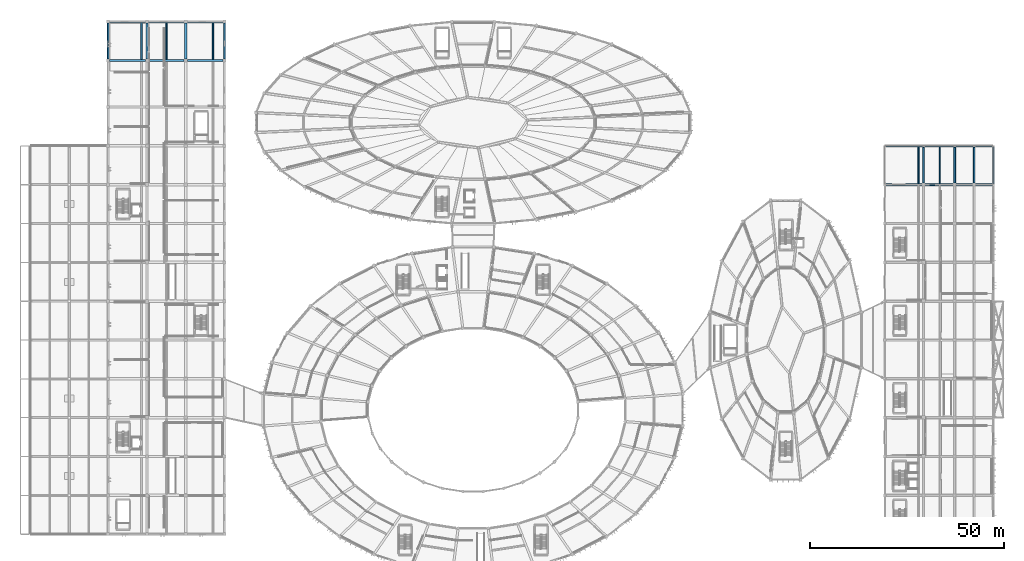
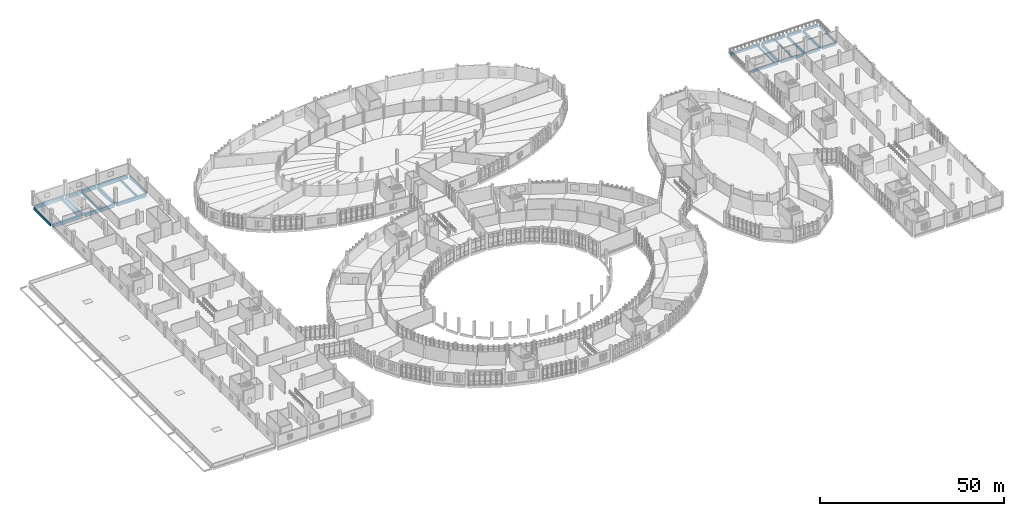
# One storey, part 78 of 179: 27 beams.
"""IFC4 building model written with IfcOpenShell, lengths in metres."""

from ifc_helpers import new_model, si_unit, direction, frame, origin, origin_2d, place, context, subcontext, project, spatial, rectangle, extrude, material, material_profile, profile_set, type_object, element, save


model = new_model("IFC4")

# Units and contexts
model_context = context("Model", 3, precision=1e-05, world=origin(), true_north=direction((0.0, 1.0)))
body_context = subcontext(model_context, "Body", "Model", "MODEL_VIEW")
ifc_project = project(units=[si_unit("LENGTHUNIT", "METRE"), si_unit("AREAUNIT", "SQUARE_METRE"), si_unit("VOLUMEUNIT", "CUBIC_METRE"), si_unit("PLANEANGLEUNIT", "RADIAN"), si_unit("MASSUNIT", "GRAM", prefix="KILO")], contexts=[model_context])

# Site, building, storey
site_placement = place(None, origin())
site = spatial("IfcSite", under=ifc_project, at=site_placement, CompositionType="ELEMENT")
building_placement = place(site_placement, origin())
building = spatial("IfcBuilding", under=site, at=building_placement, Name="Corvandel Quay Wholesale Market", CompositionType="ELEMENT")
storey_placement = place(building_placement, frame((0.0, 0.0, 6.0)))
storey = spatial("IfcBuildingStorey", under=building, at=storey_placement, Name="L01", CompositionType="ELEMENT", Elevation=6.0)

# Beams
ifc_material = material(Name="Precast concrete C45/55", Category="concrete")
ifc_material_profile_1 = material_profile(ifc_material, rectangle(XDim=0.60009765625, YDim=1.050048828125, at=origin_2d()), Name="PC-GIR-600x1050")
ifc_profile_set_1 = profile_set([ifc_material_profile_1], Name="Precast concrete C45/55")
beam_type_1 = type_object("IfcBeamType", Name="Cold Store Primary Girder G01 600x1050", PredefinedType="USERDEFINED", material=ifc_profile_set_1)
for number, where, z_axis, x_axis, name in (
    (1, (20.419921875, 132.0, -0.885009765625), (1.0, 0.0, 0.0), (0.0, 1.0, 0.0), "Beam BM-1052"),
    (2, (30.419921875, 132.0, -0.885009765625), (1.0, 0.0, 0.0), (0.0, 1.0, 0.0), "Beam BM-1053"),
    (3, (40.419921875, 132.0, -0.885009765625), (1.0, 0.0, 0.0), (0.0, 1.0, 0.0), "Beam BM-1054"),
    (4, (20.419921875, 142.0, -0.885009765625), (1.0, 0.0, 0.0), (0.0, 1.0, 0.0), "Beam BM-1055"),
    (5, (30.419921875, 142.0, -0.885009765625), (1.0, 0.0, 0.0), (0.0, 1.0, 0.0), "Beam BM-1056"),
    (6, (40.419921875, 142.0, -0.885009765625), (1.0, 0.0, 0.0), (0.0, 1.0, 0.0), "Beam BM-1057"),
    (7, (30.0, 132.419921875, -0.885009765625), (0.0, 1.0, 0.0), (-1.0, 0.0, 0.0), "Beam BM-1083"),
    (8, (40.0, 132.419921875, -0.885009765625), (0.0, 1.0, 0.0), (-1.0, 0.0, 0.0), "Beam BM-1096"),
):
    element("IfcBeam", number, at=place(storey_placement, frame(where, z_axis=z_axis, x_axis=x_axis)), inside=storey, type_object=beam_type_1, Name=name, ObjectType="GIRDER", PredefinedType="USERDEFINED", context=body_context, shape_type="SweptSolid", body=[
        extrude(rectangle(XDim=0.60009765625, YDim=1.050048828125, at=origin_2d()), origin(), (0.0, 0.0, 1.0), 9.16015625),
    ])
ifc_material_profile_2 = material_profile(ifc_material, rectangle(XDim=0.39990234375, YDim=0.64990234375, at=origin_2d()), Name="PC-BM-400x650")
ifc_profile_set_2 = profile_set([ifc_material_profile_2], Name="Precast concrete C45/55")
beam_type_2 = type_object("IfcBeamType", Name="Cold Store Secondary Beam B01 400x650", PredefinedType="BEAM", material=ifc_profile_set_2)
for number, where, z_axis, x_axis, name in (
    (9, (28.60009765625, 132.2900390625, -0.68505859375), (0.0, 1.0, 0.0), (-1.0, 0.0, 0.0), "Beam BM-1122"),
    (10, (35.0, 132.2900390625, -0.68505859375), (0.0, 1.0, 0.0), (-1.0, 0.0, 0.0), "Beam BM-1135"),
    (11, (47.0, 132.2900390625, -0.68505859375), (0.0, 1.0, 0.0), (-1.0, 0.0, 0.0), "Beam BM-1148"),
):
    element("IfcBeam", number, at=place(storey_placement, frame(where, z_axis=z_axis, x_axis=x_axis)), inside=storey, type_object=beam_type_2, Name=name, PredefinedType="BEAM", context=body_context, shape_type="SweptSolid", body=[
        extrude(rectangle(XDim=0.39990234375, YDim=0.64990234375, at=origin_2d()), origin(), (0.0, 0.0, 1.0), 9.419921875),
    ])
ifc_material_profile_3 = material_profile(ifc_material, rectangle(XDim=0.300048828125, YDim=0.5, at=origin_2d()), Name="PC-BM-300x500")
ifc_profile_set_3 = profile_set([ifc_material_profile_3], Name="Precast concrete C45/55")
beam_type_3 = type_object("IfcBeamType", Name="Office Floor Secondary Beam B04 300x500", PredefinedType="BEAM", material=ifc_profile_set_3)
for number, where, z_axis, x_axis, name in (
    (12, (228.699951171875, 100.215087890625, -0.570068359375), (0.0, 1.0, 0.0), (-1.0, 0.0, 0.0), "Beam BM-1507"),
    (13, (234.199951171875, 100.215087890625, -0.570068359375), (0.0, 1.0, 0.0), (-1.0, 0.0, 0.0), "Beam BM-1508"),
):
    element("IfcBeam", number, at=place(storey_placement, frame(where, z_axis=z_axis, x_axis=x_axis)), inside=storey, type_object=beam_type_3, Name=name, PredefinedType="BEAM", context=body_context, shape_type="SweptSolid", body=[
        extrude(rectangle(XDim=0.300048828125, YDim=0.5, at=origin_2d()), origin(), (0.0, 0.0, 1.0), 9.56982421875),
    ])
ifc_material_profile_4 = material_profile(ifc_material, rectangle(XDim=0.35009765625, YDim=0.85009765625, at=origin_2d()), Name="PC-SPN-350x850")
ifc_profile_set_4 = profile_set([ifc_material_profile_4], Name="Precast concrete C45/55")
beam_type_4 = type_object("IfcBeamType", Name="Perimeter Precast Spandrel SP01 350x850", PredefinedType="SPANDREL", material=ifc_profile_set_4)
for number, where, z_axis, x_axis, name in (
    (14, (20.0, 132.419921875, -0.784912109375), (0.0, 1.0, 0.0), (-1.0, 0.0, 0.0), "Beam BM-1070"),
    (15, (50.0, 132.419921875, -0.784912109375), (0.0, 1.0, 0.0), (-1.0, 0.0, 0.0), "Beam BM-1109"),
):
    element("IfcBeam", number, at=place(storey_placement, frame(where, z_axis=z_axis, x_axis=x_axis)), inside=storey, type_object=beam_type_4, Name=name, PredefinedType="SPANDREL", context=body_context, shape_type="SweptSolid", body=[
        extrude(rectangle(XDim=0.35009765625, YDim=0.85009765625, at=origin_2d()), origin(), (0.0, 0.0, 1.0), 9.16015625),
    ])
ifc_material_profile_5 = material_profile(ifc_material, rectangle(XDim=0.300048828125, YDim=0.699951171875, at=origin_2d()), Name="PC-SPN-300x700")
ifc_profile_set_5 = profile_set([ifc_material_profile_5], Name="Precast concrete C45/55")
beam_type_5 = type_object("IfcBeamType", Name="Terrace Edge Spandrel SP03 300x700", PredefinedType="SPANDREL", material=ifc_profile_set_5)
beam_1_placement = place(storey_placement, frame((248.0, 100.294921875, -0.669921875), z_axis=(0.0, 1.0, 0.0), x_axis=(-1.0, 0.0, 0.0)))
element("IfcBeam", 16, at=beam_1_placement, inside=storey, type_object=beam_type_5, Name="Beam BM-1488", PredefinedType="SPANDREL", context=body_context, shape_type="SweptSolid", body=[
    extrude(rectangle(XDim=0.300048828125, YDim=0.699951171875, at=origin_2d()), origin(), (0.0, 0.0, 1.0), 9.41015625),
])
ifc_material_profile_6 = material_profile(ifc_material, rectangle(XDim=0.449951171875, YDim=0.75, at=origin_2d()), Name="PC-GIR-450x750")
ifc_profile_set_6 = profile_set([ifc_material_profile_6], Name="Precast concrete C45/55")
beam_type_6 = type_object("IfcBeamType", Name="Waterfront Office Girder G06 450x750", PredefinedType="USERDEFINED", material=ifc_profile_set_6)
beam_2_placement = place(storey_placement, frame((220.39501953125, 100.0, -0.695068359375), z_axis=(1.0, 0.0, 0.0), x_axis=(0.0, 1.0, 0.0)))
element("IfcBeam", 17, at=beam_2_placement, inside=storey, type_object=beam_type_6, Name="Beam BM-1431", ObjectType="GIRDER", PredefinedType="USERDEFINED", context=body_context, shape_type="SweptSolid", body=[
    extrude(rectangle(XDim=0.449951171875, YDim=0.75, at=origin_2d()), origin(), (0.0, 0.0, 1.0), 9.2099609375),
])
beam_3_placement = place(storey_placement, frame((230.39501953125, 100.0, -0.695068359375), z_axis=(1.0, 0.0, 0.0), x_axis=(0.0, 1.0, 0.0)))
element("IfcBeam", 18, at=beam_3_placement, inside=storey, type_object=beam_type_6, Name="Beam BM-1432", ObjectType="GIRDER", PredefinedType="USERDEFINED", context=body_context, shape_type="SweptSolid", body=[
    extrude(rectangle(XDim=0.449951171875, YDim=0.75, at=origin_2d()), origin(), (0.0, 0.0, 1.0), 7.2099609375),
])
beam_4_placement = place(storey_placement, frame((238.39501953125, 100.0, -0.695068359375), z_axis=(1.0, 0.0, 0.0), x_axis=(0.0, 1.0, 0.0)))
element("IfcBeam", 19, at=beam_4_placement, inside=storey, type_object=beam_type_6, Name="Beam BM-1433", ObjectType="GIRDER", PredefinedType="USERDEFINED", context=body_context, shape_type="SweptSolid", body=[
    extrude(rectangle(XDim=0.449951171875, YDim=0.75, at=origin_2d()), origin(), (0.0, 0.0, 1.0), 4.2099609375),
])
beam_5_placement = place(storey_placement, frame((243.39501953125, 100.0, -0.695068359375), z_axis=(1.0, 0.0, 0.0), x_axis=(0.0, 1.0, 0.0)))
element("IfcBeam", 20, at=beam_5_placement, inside=storey, type_object=beam_type_6, Name="Beam BM-1434", ObjectType="GIRDER", PredefinedType="USERDEFINED", context=body_context, shape_type="SweptSolid", body=[
    extrude(rectangle(XDim=0.449951171875, YDim=0.75, at=origin_2d()), origin(), (0.0, 0.0, 1.0), 4.31005859375),
])
beam_6_placement = place(storey_placement, frame((220.39501953125, 110.0, -0.695068359375), z_axis=(1.0, 0.0, 0.0), x_axis=(0.0, 1.0, 0.0)))
element("IfcBeam", 21, at=beam_6_placement, inside=storey, type_object=beam_type_6, Name="Beam BM-1435", ObjectType="GIRDER", PredefinedType="USERDEFINED", context=body_context, shape_type="SweptSolid", body=[
    extrude(rectangle(XDim=0.449951171875, YDim=0.75, at=origin_2d()), origin(), (0.0, 0.0, 1.0), 9.2099609375),
])
beam_7_placement = place(storey_placement, frame((230.39501953125, 110.0, -0.695068359375), z_axis=(1.0, 0.0, 0.0), x_axis=(0.0, 1.0, 0.0)))
element("IfcBeam", 22, at=beam_7_placement, inside=storey, type_object=beam_type_6, Name="Beam BM-1436", ObjectType="GIRDER", PredefinedType="USERDEFINED", context=body_context, shape_type="SweptSolid", body=[
    extrude(rectangle(XDim=0.449951171875, YDim=0.75, at=origin_2d()), origin(), (0.0, 0.0, 1.0), 7.2099609375),
])
beam_8_placement = place(storey_placement, frame((238.39501953125, 110.0, -0.695068359375), z_axis=(1.0, 0.0, 0.0), x_axis=(0.0, 1.0, 0.0)))
element("IfcBeam", 23, at=beam_8_placement, inside=storey, type_object=beam_type_6, Name="Beam BM-1437", ObjectType="GIRDER", PredefinedType="USERDEFINED", context=body_context, shape_type="SweptSolid", body=[
    extrude(rectangle(XDim=0.449951171875, YDim=0.75, at=origin_2d()), origin(), (0.0, 0.0, 1.0), 4.2099609375),
])
beam_9_placement = place(storey_placement, frame((243.39501953125, 110.0, -0.695068359375), z_axis=(1.0, 0.0, 0.0), x_axis=(0.0, 1.0, 0.0)))
element("IfcBeam", 24, at=beam_9_placement, inside=storey, type_object=beam_type_6, Name="Beam BM-1438", ObjectType="GIRDER", PredefinedType="USERDEFINED", context=body_context, shape_type="SweptSolid", body=[
    extrude(rectangle(XDim=0.449951171875, YDim=0.75, at=origin_2d()), origin(), (0.0, 0.0, 1.0), 4.31005859375),
])
for number, where, z_axis, x_axis, name in (
    (25, (230.0, 100.39501953125, -0.695068359375), (0.0, 1.0, 0.0), (-1.0, 0.0, 0.0), "Beam BM-1458"),
    (26, (238.0, 100.39501953125, -0.695068359375), (0.0, 1.0, 0.0), (-1.0, 0.0, 0.0), "Beam BM-1468"),
    (27, (243.0, 100.39501953125, -0.695068359375), (0.0, 1.0, 0.0), (-1.0, 0.0, 0.0), "Beam BM-1478"),
):
    element("IfcBeam", number, at=place(storey_placement, frame(where, z_axis=z_axis, x_axis=x_axis)), inside=storey, type_object=beam_type_6, Name=name, ObjectType="GIRDER", PredefinedType="USERDEFINED", context=body_context, shape_type="SweptSolid", body=[
        extrude(rectangle(XDim=0.449951171875, YDim=0.75, at=origin_2d()), origin(), (0.0, 0.0, 1.0), 9.2099609375),
    ])

save(model, "model.ifc")
